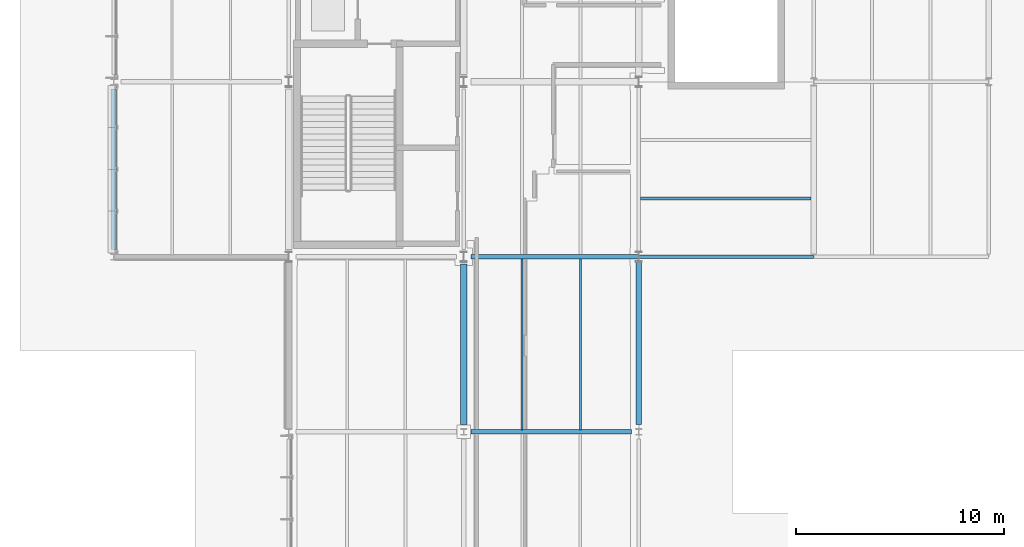
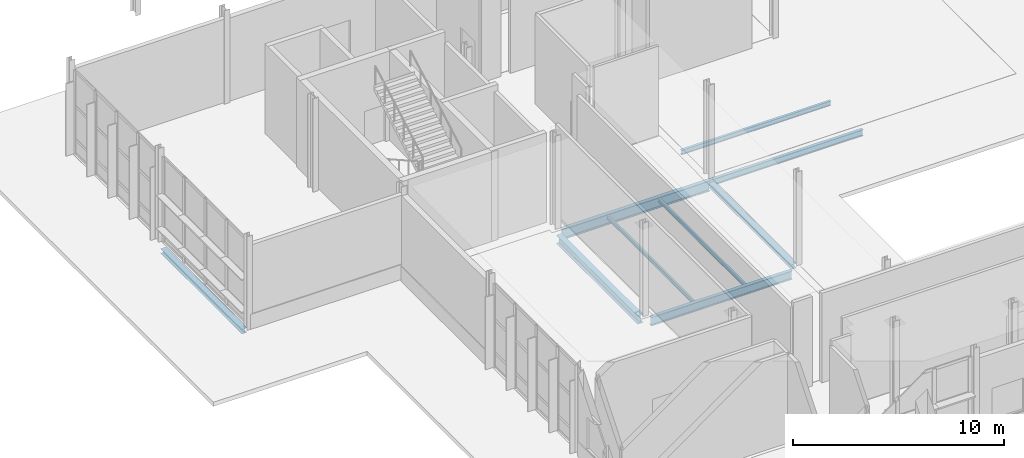
# One storey, part 33 of 124: 9 beams.
"""IFC4 building model written with IfcOpenShell, lengths in metres."""

from ifc_helpers import new_model, si_unit, direction, frame, origin, origin_2d, place, context, subcontext, project, spatial, i_section, extrude, material, material_profile, profile_set, type_object, element, save


model = new_model("IFC4")

# Units and contexts
model_context = context("Model", 3, precision=1e-05, world=origin(), true_north=direction((0.0, 1.0)))
body_context = subcontext(model_context, "Body", "Model", "MODEL_VIEW")
ifc_project = project(units=[si_unit("LENGTHUNIT", "METRE"), si_unit("AREAUNIT", "SQUARE_METRE"), si_unit("VOLUMEUNIT", "CUBIC_METRE"), si_unit("PLANEANGLEUNIT", "RADIAN"), si_unit("MASSUNIT", "GRAM", prefix="KILO")], contexts=[model_context])

# Site, building, storey
site_placement = place(None, origin())
site = spatial("IfcSite", under=ifc_project, at=site_placement, CompositionType="ELEMENT")
building_placement = place(site_placement, origin())
building = spatial("IfcBuilding", under=site, at=building_placement, Name="Mersafa Astral City Hall", CompositionType="ELEMENT")
storey_placement = place(building_placement, origin())
storey = spatial("IfcBuildingStorey", under=building, at=storey_placement, Name="L00", CompositionType="ELEMENT", Elevation=0.0)

# Beams
ifc_material = material(Name="Steel S355", Category="steel")
ifc_material_profile_1 = material_profile(ifc_material, i_section(OverallWidth=0.300048828125, OverallDepth=0.489990234375, WebThickness=0.011962890625, FlangeThickness=0.02294921875, FilletRadius=0.027099609375, at=origin_2d()), Name="HEA 500")
ifc_profile_set_1 = profile_set([ifc_material_profile_1], Name="Steel S355")
beam_type_1 = type_object("IfcBeamType", Name="STR-BM-HEA500", PredefinedType="BEAM", material=ifc_profile_set_1)
beam_1_placement = place(storey_placement, frame((16.800048828125, 67.544921875, -0.4951171875), z_axis=(0.0, 1.0, 0.0), x_axis=(-1.0, 0.0, 0.0)))
element("IfcBeam", 1, at=beam_1_placement, inside=storey, type_object=beam_type_1, Name="L00 Primary girder Y 2-8", PredefinedType="BEAM", context=body_context, shape_type="SweptSolid", body=[
    extrude(i_section(OverallWidth=0.300048828125, OverallDepth=0.489990234375, WebThickness=0.011962890625, FlangeThickness=0.02294921875, FilletRadius=0.027099609375, at=origin_2d()), origin(), (0.0, 0.0, 1.0), 7.7099609375),
])
ifc_material_profile_2 = material_profile(ifc_material, i_section(OverallWidth=0.199951171875, OverallDepth=0.5, WebThickness=0.01025390625, FlangeThickness=0.01611328125, FilletRadius=0.02099609375, at=origin_2d()), Name="IPE 500")
ifc_profile_set_2 = profile_set([ifc_material_profile_2], Name="Steel S355")
beam_type_2 = type_object("IfcBeamType", Name="STR-BM-IPE500", PredefinedType="BEAM", material=ifc_profile_set_2)
beam_2_placement = place(storey_placement, frame((17.14501953125, 67.199951171875, -0.5), z_axis=(1.0, 0.0, 0.0), x_axis=(0.0, 1.0, 0.0)))
element("IfcBeam", 2, at=beam_2_placement, inside=storey, type_object=beam_type_2, Name="L00 Primary girder X 2-8", PredefinedType="BEAM", context=body_context, shape_type="SweptSolid", body=[
    extrude(i_section(OverallWidth=0.199951171875, OverallDepth=0.5, WebThickness=0.01025390625, FlangeThickness=0.01611328125, FilletRadius=0.02099609375, at=origin_2d()), origin(), (0.0, 0.0, 1.0), 7.7099609375),
])
ifc_material_profile_3 = material_profile(ifc_material, i_section(OverallWidth=0.219970703125, OverallDepth=0.60009765625, WebThickness=0.011962890625, FlangeThickness=0.01904296875, FilletRadius=0.02392578125, at=origin_2d()), Name="IPE 600")
ifc_profile_set_3 = profile_set([ifc_material_profile_3], Name="Steel S355")
beam_type_3 = type_object("IfcBeamType", Name="STR-BM-IPE600", PredefinedType="BEAM", material=ifc_profile_set_3)
beam_3_placement = place(storey_placement, frame((17.14501953125, 75.60009765625, -0.550048828125), z_axis=(1.0, 0.0, 0.0), x_axis=(0.0, 1.0, 0.0)))
element("IfcBeam", 3, at=beam_3_placement, inside=storey, type_object=beam_type_3, Name="L00 Primary girder X 2-9", PredefinedType="BEAM", context=body_context, shape_type="SweptSolid", body=[
    extrude(i_section(OverallWidth=0.219970703125, OverallDepth=0.60009765625, WebThickness=0.011962890625, FlangeThickness=0.01904296875, FilletRadius=0.02392578125, at=origin_2d()), origin(), (0.0, 0.0, 1.0), 8.052001953125),
])
ifc_material_profile_4 = material_profile(ifc_material, i_section(OverallWidth=0.110107421875, OverallDepth=0.219970703125, WebThickness=0.005859375, FlangeThickness=0.00927734375, FilletRadius=0.011962890625, at=origin_2d()), Name="IPE 220")
ifc_profile_set_4 = profile_set([ifc_material_profile_4], Name="Steel S355")
beam_type_4 = type_object("IfcBeamType", Name="STR-BM-JOIST-IPE220", PredefinedType="JOIST", material=ifc_profile_set_4)
for number, where, z_axis, x_axis, name in (
    (4, (19.60009765625, 67.294921875, -0.360107421875), (0.0, 1.0, 0.0), (-1.0, 0.0, 0.0), "L00 Composite secondary floor joist 16"),
    (5, (22.39990234375, 67.294921875, -0.360107421875), (0.0, 1.0, 0.0), (-1.0, 0.0, 0.0), "L00 Composite secondary floor joist 17"),
):
    element("IfcBeam", number, at=place(storey_placement, frame(where, z_axis=z_axis, x_axis=x_axis)), inside=storey, type_object=beam_type_4, Name=name, PredefinedType="JOIST", context=body_context, shape_type="SweptSolid", body=[
        extrude(i_section(OverallWidth=0.110107421875, OverallDepth=0.219970703125, WebThickness=0.005859375, FlangeThickness=0.00927734375, FilletRadius=0.011962890625, at=origin_2d()), origin(), (0.0, 0.0, 1.0), 8.2001953125),
    ])
ifc_material_profile_5 = material_profile(ifc_material, i_section(OverallWidth=0.135009765625, OverallDepth=0.27001953125, WebThickness=0.006591796875, FlangeThickness=0.01025390625, FilletRadius=0.014892578125, at=origin_2d()), Name="IPE 270")
ifc_profile_set_5 = profile_set([ifc_material_profile_5], Name="Steel S355")
beam_type_5 = type_object("IfcBeamType", Name="STR-BM-JOIST-IPE270", PredefinedType="JOIST", material=ifc_profile_set_5)
beam_4_placement = place(storey_placement, frame((25.280029296875, 78.39990234375, -0.385009765625), z_axis=(1.0, 0.0, 0.0), x_axis=(0.0, 1.0, 0.0)))
element("IfcBeam", 6, at=beam_4_placement, inside=storey, type_object=beam_type_5, Name="L00 Flat roof secondary joist 1", PredefinedType="JOIST", context=body_context, shape_type="SweptSolid", body=[
    extrude(i_section(OverallWidth=0.135009765625, OverallDepth=0.27001953125, WebThickness=0.006591796875, FlangeThickness=0.01025390625, FilletRadius=0.014892578125, at=origin_2d()), origin(), (0.0, 0.0, 1.0), 8.18505859375),
])
ifc_material_profile_6 = material_profile(ifc_material, i_section(OverallWidth=0.280029296875, OverallDepth=0.27001953125, WebThickness=0.008056640625, FlangeThickness=0.012939453125, FilletRadius=0.02392578125, at=origin_2d()), Name="HEA 280")
ifc_profile_set_6 = profile_set([ifc_material_profile_6], Name="Steel S355")
beam_type_6 = type_object("IfcBeamType", Name="STR-BM-SPANDREL-HEA280", PredefinedType="SPANDREL", material=ifc_profile_set_6)
beam_5_placement = place(storey_placement, frame((0.0, 75.945068359375, -0.385009765625), z_axis=(0.0, 1.0, 0.0), x_axis=(-1.0, 0.0, 0.0)))
element("IfcBeam", 7, at=beam_5_placement, inside=storey, type_object=beam_type_6, Name="L00 Primary girder Y 0-9", PredefinedType="SPANDREL", context=body_context, shape_type="SweptSolid", body=[
    extrude(i_section(OverallWidth=0.280029296875, OverallDepth=0.27001953125, WebThickness=0.008056640625, FlangeThickness=0.012939453125, FilletRadius=0.02392578125, at=origin_2d()), origin(), (0.0, 0.0, 1.0), 7.7099609375),
])
beam_6_placement = place(storey_placement, frame((25.199951171875, 67.544921875, -0.385009765625), z_axis=(0.0, 1.0, 0.0), x_axis=(-1.0, 0.0, 0.0)))
element("IfcBeam", 8, at=beam_6_placement, inside=storey, type_object=beam_type_6, Name="L00 Primary girder Y 3-8", PredefinedType="SPANDREL", context=body_context, shape_type="SweptSolid", body=[
    extrude(i_section(OverallWidth=0.280029296875, OverallDepth=0.27001953125, WebThickness=0.008056640625, FlangeThickness=0.012939453125, FilletRadius=0.02392578125, at=origin_2d()), origin(), (0.0, 0.0, 1.0), 7.81005859375),
])
ifc_material_profile_7 = material_profile(ifc_material, i_section(OverallWidth=0.169921875, OverallDepth=0.360107421875, WebThickness=0.008056640625, FlangeThickness=0.0126953125, FilletRadius=0.01806640625, at=origin_2d()), Name="IPE 360")
ifc_profile_set_7 = profile_set([ifc_material_profile_7], Name="Steel S355")
beam_type_7 = type_object("IfcBeamType", Name="STR-BM-SPANDREL-IPE360", PredefinedType="SPANDREL", material=ifc_profile_set_7)
beam_7_placement = place(storey_placement, frame((25.202880859375, 75.60009765625, -0.429931640625), z_axis=(1.0, 0.0, 0.0), x_axis=(0.0, 1.0, 0.0)))
element("IfcBeam", 9, at=beam_7_placement, inside=storey, type_object=beam_type_7, Name="L00 Primary girder X 3-9", PredefinedType="SPANDREL", context=body_context, shape_type="SweptSolid", body=[
    extrude(i_section(OverallWidth=0.169921875, OverallDepth=0.360107421875, WebThickness=0.008056640625, FlangeThickness=0.0126953125, FilletRadius=0.01806640625, at=origin_2d()), origin(), (0.0, 0.0, 1.0), 8.39404296875),
])

save(model, "model.ifc")
